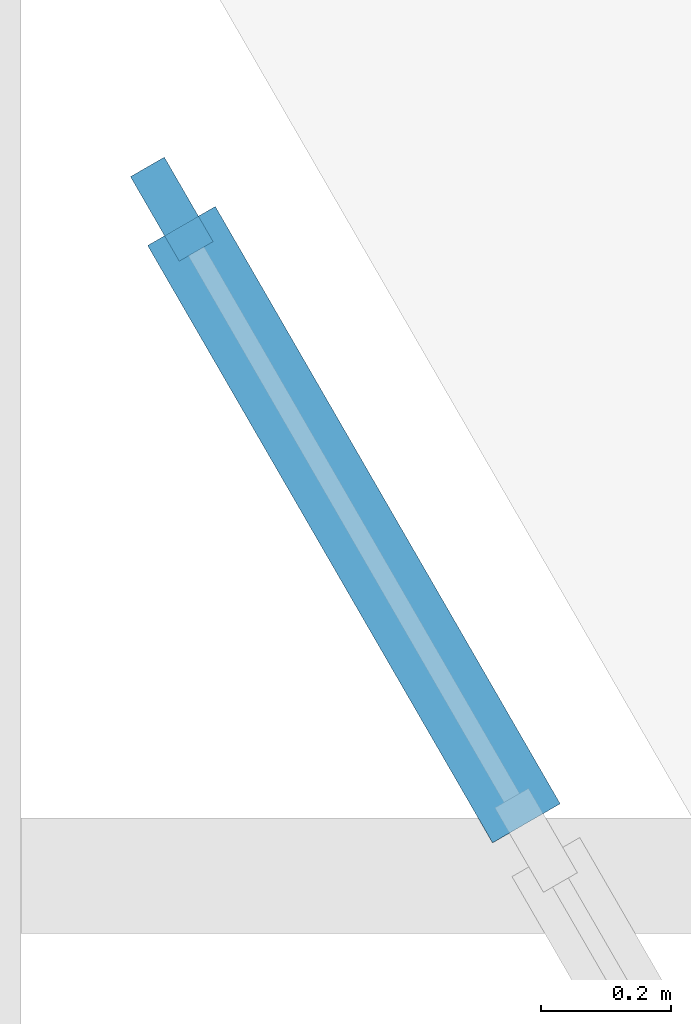
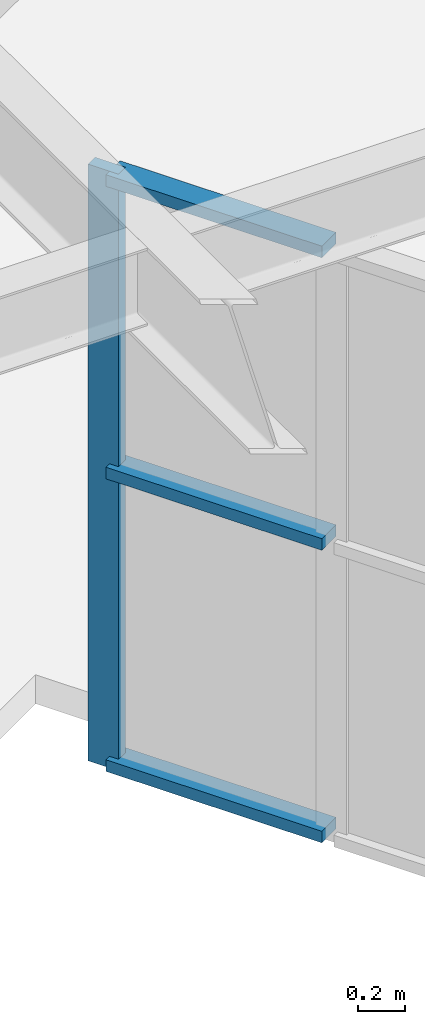
# One storey, part 2 of 12: 4 members, 1 element without a shape of its own.
"""IFC4 building model written with IfcOpenShell, lengths in metres."""

from ifc_helpers import new_model, si_unit, direction, frame, origin, origin_2d, place, context, subcontext, project, spatial, rectangle, extrude, material, material_profile, profile_set, type_object, element, aggregate, save


model = new_model("IFC4")

# Units and contexts
model_context = context("Model", 3, precision=1e-05, world=origin(), true_north=direction((0.0, 1.0)))
body_context = subcontext(model_context, "Body", "Model", "MODEL_VIEW")
ifc_project = project(units=[si_unit("LENGTHUNIT", "METRE"), si_unit("AREAUNIT", "SQUARE_METRE"), si_unit("VOLUMEUNIT", "CUBIC_METRE"), si_unit("PLANEANGLEUNIT", "RADIAN"), si_unit("MASSUNIT", "GRAM", prefix="KILO")], contexts=[model_context])

# Site, building, storey
site_placement = place(None, origin())
site = spatial("IfcSite", under=ifc_project, at=site_placement, CompositionType="ELEMENT")
building_placement = place(site_placement, origin())
building = spatial("IfcBuilding", under=site, at=building_placement, Name="Aloe Facet Convention Tower", CompositionType="ELEMENT")
storey_placement = place(building_placement, frame((0.0, 0.0, 102.800048828125)))
storey = spatial("IfcBuildingStorey", under=building, at=storey_placement, Name="L25", CompositionType="ELEMENT", Elevation=102.800048828125)

# Curtain wall, members
ifc_material_1 = material(Name="Aluminium, anodised", Category="aluminium")
curtain_wall_type = type_object("IfcCurtainWallType", Name="EV-CW-TERRACE", PredefinedType="USERDEFINED", material=ifc_material_1)
curtain_wall_placement = place(storey_placement, origin())
curtain_wall = element("IfcCurtainWall", 1, at=curtain_wall_placement, inside=storey, type_object=curtain_wall_type, Name="CW-T05", ObjectType="TERRACE BACK GLAZING", PredefinedType="USERDEFINED")
ifc_material_2 = material(Name="Aluminium, anodised", Category="aluminium")
ifc_material_profile_1 = material_profile(ifc_material_2, rectangle(XDim=0.06005859375, YDim=0.14990234375, at=origin_2d()), Name="AL 60x150")
ifc_profile_set_1 = profile_set([ifc_material_profile_1], Name="Aluminium, anodised")
member_type_1 = type_object("IfcMemberType", Name="EV-MULL-TERRACE", PredefinedType="MULLION", material=ifc_profile_set_1)
member_1_placement = place(storey_placement, frame((71.33740234375, 110.82470703125, -0.150146484375), z_axis=(0.0, 0.0, 1.0), x_axis=(0.866025403819, 0.49999999994, 0.0)))
member_1 = element("IfcMember", 2, at=member_1_placement, type_object=member_type_1, Name="CW-T05 mullion 1", PredefinedType="MULLION", context=body_context, shape_type="SweptSolid", body=[
    extrude(rectangle(XDim=0.06005859375, YDim=0.14990234375, at=origin_2d()), origin(), (0.0, 0.0, 1.0), 3.097412109375),
])
ifc_material_3 = material(Name="Aluminium, anodised", Category="aluminium")
ifc_material_profile_2 = material_profile(ifc_material_3, rectangle(XDim=0.1201171875, YDim=0.06005859375, at=origin_2d()), Name="AL 120x60")
ifc_profile_set_2 = profile_set([ifc_material_profile_2], Name="Aluminium, anodised")
member_type_2 = type_object("IfcMemberType", Name="EV-TRAN-TERRACE", PredefinedType="USERDEFINED", material=ifc_profile_set_2)
member_2_placement = place(storey_placement, frame((71.352294921875, 110.798828125, -0.1201171875), z_axis=(0.50002815445, -0.866009148195, 0.0), x_axis=(0.866009148195, 0.50002815445, 0.0)))
member_2 = element("IfcMember", 3, at=member_2_placement, type_object=member_type_2, Name="CW-T05 transom 1.1", ObjectType="TRANSOM", PredefinedType="USERDEFINED", context=body_context, shape_type="SweptSolid", body=[
    extrude(rectangle(XDim=0.1201171875, YDim=0.06005859375, at=origin_2d()), origin(), (0.0, 0.0, 1.0), 1.06005859375),
])
member_3_placement = place(storey_placement, frame((71.352294921875, 110.798828125, 1.398681640625), z_axis=(0.50002815445, -0.866009148195, 0.0), x_axis=(0.866009148195, 0.50002815445, 0.0)))
member_3 = element("IfcMember", 4, at=member_3_placement, type_object=member_type_2, Name="CW-T05 transom 1.2", ObjectType="TRANSOM", PredefinedType="USERDEFINED", context=body_context, shape_type="SweptSolid", body=[
    extrude(rectangle(XDim=0.1201171875, YDim=0.06005859375, at=origin_2d()), origin(), (0.0, 0.0, 1.0), 1.06005859375),
])
member_4_placement = place(storey_placement, frame((71.352294921875, 110.798828125, 2.917236328125), z_axis=(0.50002815445, -0.866009148195, 0.0), x_axis=(0.866009148195, 0.50002815445, 0.0)))
member_4 = element("IfcMember", 5, at=member_4_placement, type_object=member_type_2, Name="CW-T05 transom 1.3", ObjectType="TRANSOM", PredefinedType="USERDEFINED", context=body_context, shape_type="SweptSolid", body=[
    extrude(rectangle(XDim=0.1201171875, YDim=0.06005859375, at=origin_2d()), origin(), (0.0, 0.0, 1.0), 1.06005859375),
])
aggregate(curtain_wall, [member_1, member_2, member_3, member_4])

save(model, "model.ifc")
